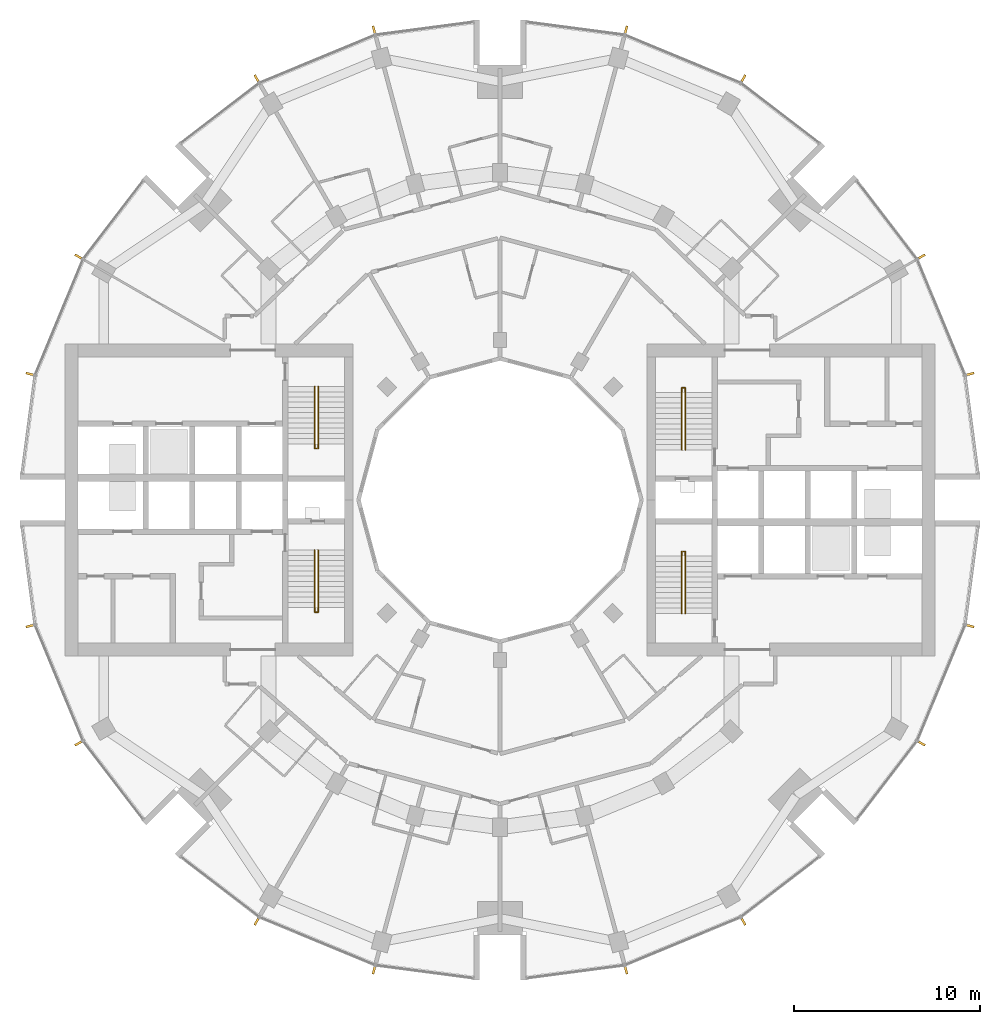
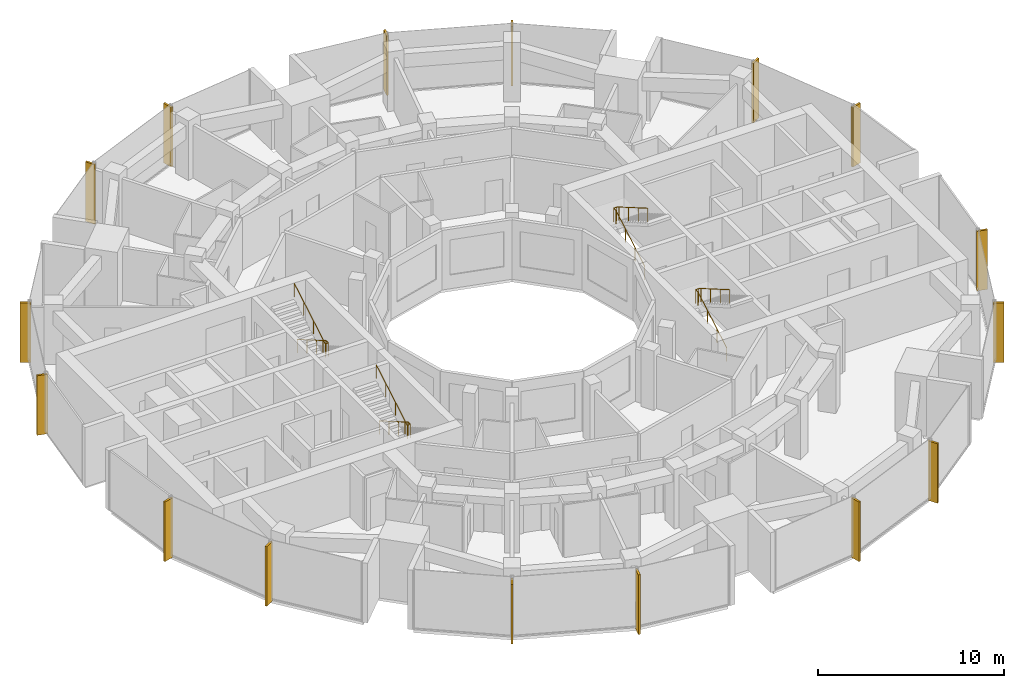
# One storey, part 14 of 15: 16 shading devices, 4 railings.
"""IFC4 building model written with IfcOpenShell, lengths in metres."""

from ifc_helpers import new_model, si_unit, direction, frame, origin, origin_2d, place, context, subcontext, project, spatial, rectangle, circle, extrude, material, material_profile, profile_set, type_object, element, save


model = new_model("IFC4")

# Units and contexts
model_context = context("Model", 3, precision=1e-05, world=origin(), true_north=direction((0.0, 1.0)))
body_context = subcontext(model_context, "Body", "Model", "MODEL_VIEW")
ifc_project = project(units=[si_unit("LENGTHUNIT", "METRE"), si_unit("AREAUNIT", "SQUARE_METRE"), si_unit("VOLUMEUNIT", "CUBIC_METRE"), si_unit("PLANEANGLEUNIT", "RADIAN"), si_unit("MASSUNIT", "GRAM", prefix="KILO")], contexts=[model_context])

# Site, building, storey
site_placement = place(None, origin())
site = spatial("IfcSite", under=ifc_project, at=site_placement, CompositionType="ELEMENT")
building_placement = place(site_placement, origin())
building = spatial("IfcBuilding", under=site, at=building_placement, Name="Torre Brocal", CompositionType="ELEMENT")
storey_placement = place(building_placement, frame((0.0, 0.0, 145.800048828125)))
storey = spatial("IfcBuildingStorey", under=building, at=storey_placement, Name="L34", CompositionType="ELEMENT", Elevation=145.800048828125)

# Shading devices
ifc_material_1 = material(Name="Aluminium, black anodised", Category="aluminium")
ifc_material_profile = material_profile(ifc_material_1, rectangle(XDim=0.1201171875, YDim=0.60009765625, at=origin_2d()), Name="FIN 120X600 3900 HIGH")
ifc_profile_set = profile_set([ifc_material_profile], Name="Aluminium, black anodised")
shading_device_type = type_object("IfcShadingDeviceType", Name="FIN 120X600 3900 HIGH", PredefinedType="USERDEFINED", material=ifc_profile_set)
for number, where, z_axis, x_axis, name in (
    (1, (105.208984375, 81.754638671875, -0.150146484375), (0.0, 0.0, 1.0), (-0.258819045103, 0.965925826289, 0.0), "FIN"),
    (2, (102.601806640625, 88.049072265625, -0.150146484375), (0.0, 0.0, 1.0), (-0.5, 0.866025403784, 0.0), "FIN"),
    (3, (93.049072265625, 97.601806640625, -0.150146484375), (0.0, 0.0, 1.0), (-0.866025403784, 0.5, 0.0), "FIN"),
    (4, (86.754638671875, 100.208984375, -0.150146484375), (0.0, 0.0, 1.0), (-0.965925826289, 0.258819045103, 0.0), "FIN"),
    (5, (73.245361328125, 100.208984375, -0.150146484375), (0.0, 0.0, 1.0), (-0.965925826289, -0.258819045103, 0.0), "FIN"),
    (6, (66.950927734375, 97.601806640625, -0.150146484375), (0.0, 0.0, 1.0), (-0.866025403784, -0.5, 0.0), "FIN"),
    (7, (57.398193359375, 88.049072265625, -0.150146484375), (0.0, 0.0, 1.0), (-0.5, -0.866025403784, 0.0), "FIN"),
    (8, (54.791015625, 81.754638671875, -0.150146484375), (0.0, 0.0, 1.0), (-0.258819045103, -0.965925826289, 0.0), "FIN"),
    (9, (54.791015625, 68.245361328125, -0.150146484375), (0.0, 0.0, 1.0), (0.258819045103, -0.965925826289, 0.0), "FIN"),
    (10, (57.398193359375, 61.950927734375, -0.150146484375), (0.0, 0.0, 1.0), (0.5, -0.866025403784, 0.0), "FIN"),
    (11, (66.950927734375, 52.398193359375, -0.150146484375), (0.0, 0.0, 1.0), (0.866025403784, -0.5, 0.0), "FIN"),
    (12, (73.245361328125, 49.791015625, -0.150146484375), (0.0, 0.0, 1.0), (0.965925826289, -0.258819045103, 0.0), "FIN"),
    (13, (86.754638671875, 49.791015625, -0.150146484375), (0.0, 0.0, 1.0), (0.965925826289, 0.258819045103, 0.0), "FIN"),
    (14, (93.049072265625, 52.398193359375, -0.150146484375), (0.0, 0.0, 1.0), (0.866025403784, 0.5, 0.0), "FIN"),
    (15, (102.601806640625, 61.950927734375, -0.150146484375), (0.0, 0.0, 1.0), (0.5, 0.866025403784, 0.0), "FIN"),
    (16, (105.208984375, 68.245361328125, -0.150146484375), (0.0, 0.0, 1.0), (0.258819045103, 0.965925826289, 0.0), "FIN"),
):
    element("IfcShadingDevice", number, at=place(storey_placement, frame(where, z_axis=z_axis, x_axis=x_axis)), inside=storey, type_object=shading_device_type, Name=name, ObjectType="FIN", PredefinedType="USERDEFINED", context=body_context, shape_type="SweptSolid", body=[
        extrude(rectangle(XDim=0.1201171875, YDim=0.60009765625, at=origin_2d()), origin(), (0.0, 0.0, 1.0), 3.900146484375),
    ])

# Railings
ifc_material_2 = material(Name="Stainless steel AISI 316", Category="steel")
railing_type = type_object("IfcRailingType", Name="STAIR HANDRAIL", PredefinedType="HANDRAIL", material=ifc_material_2)
railing_1_placement = place(storey_placement, frame((89.780029296875, 77.699951171875, 0.162353515625)))
element("IfcRailing", 17, at=railing_1_placement, inside=storey, type_object=railing_type, Name="HANDRAIL ST1", PredefinedType="HANDRAIL", context=body_context, shape_type="SweptSolid", body=[
    extrude(circle(Radius=0.02392578125, at=origin_2d()), frame((0.0, 0.0, 0.8759765625), z_axis=(0.0, 0.864890721111, 0.501960198159), x_axis=(-1.0, 0.0, 0.0)), (0.0, 0.0, 1.0), 3.561279296875),
    extrude(circle(Radius=0.02392578125, at=origin_2d()), frame((0.0, 3.080078125, 2.66357421875), z_axis=(0.0, 1.0, 0.0), x_axis=(-1.0, 0.0, 0.0)), (0.0, 0.0, 1.0), 0.25),
    extrude(circle(Radius=0.02392578125, at=origin_2d()), frame((0.0, 3.330078125, 2.66357421875), z_axis=(1.0, 0.0, 0.0), x_axis=(0.0, 1.0, 0.0)), (0.0, 0.0, 1.0), 0.18994140625),
    extrude(circle(Radius=0.02392578125, at=origin_2d()), frame((0.18994140625, 3.330078125, 2.66357421875), z_axis=(0.0, -0.838293955121, 0.545218529405), x_axis=(1.0, 0.0, 0.0)), (0.0, 0.0, 1.0), 0.29833984375),
    extrude(circle(Radius=0.02392578125, at=origin_2d()), frame((0.18994140625, 3.080078125, 2.826171875), z_axis=(0.0, -0.864920483161, 0.501908913857), x_axis=(1.0, 0.0, 0.0)), (0.0, 0.0, 1.0), 3.56103515625),
    extrude(circle(Radius=0.02099609375, at=origin_2d()), origin(), (0.0, 0.0, 1.0), 0.851806640625),
    extrude(circle(Radius=0.02099609375, at=origin_2d()), frame((0.0, 1.026611328125, 0.595947265625)), (0.0, 0.0, 1.0), 0.851806640625),
    extrude(circle(Radius=0.02099609375, at=origin_2d()), frame((0.0, 2.053466796875, 1.191650390625)), (0.0, 0.0, 1.0), 0.851806640625),
    extrude(circle(Radius=0.02099609375, at=origin_2d()), frame((0.0, 3.080078125, 1.78759765625)), (0.0, 0.0, 1.0), 0.851806640625),
    extrude(circle(Radius=0.02099609375, at=origin_2d()), frame((0.0, 3.330078125, 1.78759765625)), (0.0, 0.0, 1.0), 0.851806640625),
    extrude(circle(Radius=0.02099609375, at=origin_2d()), frame((0.18994140625, 3.330078125, 1.78759765625)), (0.0, 0.0, 1.0), 0.851806640625),
    extrude(circle(Radius=0.02099609375, at=origin_2d()), frame((0.18994140625, 3.080078125, 1.9501953125)), (0.0, 0.0, 1.0), 0.851806640625),
    extrude(circle(Radius=0.02099609375, at=origin_2d()), frame((0.18994140625, 2.053466796875, 2.5458984375)), (0.0, 0.0, 1.0), 0.851806640625),
    extrude(circle(Radius=0.02099609375, at=origin_2d()), frame((0.18994140625, 1.026611328125, 3.141845703125)), (0.0, 0.0, 1.0), 0.851806640625),
    extrude(circle(Radius=0.02099609375, at=origin_2d()), frame((0.18994140625, 0.0, 3.737548828125)), (0.0, 0.0, 1.0), 0.851806640625),
])
railing_2_placement = place(storey_placement, frame((89.780029296875, 68.89990234375, 0.162353515625)))
element("IfcRailing", 18, at=railing_2_placement, inside=storey, type_object=railing_type, Name="HANDRAIL ST2", PredefinedType="HANDRAIL", context=body_context, shape_type="SweptSolid", body=[
    extrude(circle(Radius=0.02392578125, at=origin_2d()), frame((0.0, 0.0, 0.8759765625), z_axis=(0.0, 0.864890721111, 0.501960198159), x_axis=(-1.0, 0.0, 0.0)), (0.0, 0.0, 1.0), 3.561279296875),
    extrude(circle(Radius=0.02392578125, at=origin_2d()), frame((0.0, 3.080078125, 2.66357421875), z_axis=(0.0, 1.0, 0.0), x_axis=(-1.0, 0.0, 0.0)), (0.0, 0.0, 1.0), 0.25),
    extrude(circle(Radius=0.02392578125, at=origin_2d()), frame((0.0, 3.330078125, 2.66357421875), z_axis=(1.0, 0.0, 0.0), x_axis=(0.0, 1.0, 0.0)), (0.0, 0.0, 1.0), 0.18994140625),
    extrude(circle(Radius=0.02392578125, at=origin_2d()), frame((0.18994140625, 3.330078125, 2.66357421875), z_axis=(0.0, -0.838293955121, 0.545218529405), x_axis=(1.0, 0.0, 0.0)), (0.0, 0.0, 1.0), 0.29833984375),
    extrude(circle(Radius=0.02392578125, at=origin_2d()), frame((0.18994140625, 3.080078125, 2.826171875), z_axis=(0.0, -0.864920483161, 0.501908913857), x_axis=(1.0, 0.0, 0.0)), (0.0, 0.0, 1.0), 3.56103515625),
    extrude(circle(Radius=0.02099609375, at=origin_2d()), origin(), (0.0, 0.0, 1.0), 0.851806640625),
    extrude(circle(Radius=0.02099609375, at=origin_2d()), frame((0.0, 1.026611328125, 0.595947265625)), (0.0, 0.0, 1.0), 0.851806640625),
    extrude(circle(Radius=0.02099609375, at=origin_2d()), frame((0.0, 2.053466796875, 1.191650390625)), (0.0, 0.0, 1.0), 0.851806640625),
    extrude(circle(Radius=0.02099609375, at=origin_2d()), frame((0.0, 3.080078125, 1.78759765625)), (0.0, 0.0, 1.0), 0.851806640625),
    extrude(circle(Radius=0.02099609375, at=origin_2d()), frame((0.0, 3.330078125, 1.78759765625)), (0.0, 0.0, 1.0), 0.851806640625),
    extrude(circle(Radius=0.02099609375, at=origin_2d()), frame((0.18994140625, 3.330078125, 1.78759765625)), (0.0, 0.0, 1.0), 0.851806640625),
    extrude(circle(Radius=0.02099609375, at=origin_2d()), frame((0.18994140625, 3.080078125, 1.9501953125)), (0.0, 0.0, 1.0), 0.851806640625),
    extrude(circle(Radius=0.02099609375, at=origin_2d()), frame((0.18994140625, 2.053466796875, 2.5458984375)), (0.0, 0.0, 1.0), 0.851806640625),
    extrude(circle(Radius=0.02099609375, at=origin_2d()), frame((0.18994140625, 1.026611328125, 3.141845703125)), (0.0, 0.0, 1.0), 0.851806640625),
    extrude(circle(Radius=0.02099609375, at=origin_2d()), frame((0.18994140625, 0.0, 3.737548828125)), (0.0, 0.0, 1.0), 0.851806640625),
])
railing_3_placement = place(storey_placement, frame((70.219970703125, 72.300048828125, 0.162353515625)))
element("IfcRailing", 19, at=railing_3_placement, inside=storey, type_object=railing_type, Name="HANDRAIL ST3", PredefinedType="HANDRAIL", context=body_context, shape_type="SweptSolid", body=[
    extrude(circle(Radius=0.02392578125, at=origin_2d()), frame((0.0, 0.0, 0.8759765625), z_axis=(0.0, -0.864890721111, 0.501960198159), x_axis=(1.0, 0.0, 0.0)), (0.0, 0.0, 1.0), 3.561279296875),
    extrude(circle(Radius=0.02392578125, at=origin_2d()), frame((0.0, -3.080078125, 2.66357421875), z_axis=(0.0, -1.0, 0.0), x_axis=(1.0, 0.0, 0.0)), (0.0, 0.0, 1.0), 0.25),
    extrude(circle(Radius=0.02392578125, at=origin_2d()), frame((0.0, -3.330078125, 2.66357421875), z_axis=(-1.0, 0.0, 0.0), x_axis=(0.0, -1.0, 0.0)), (0.0, 0.0, 1.0), 0.18994140625),
    extrude(circle(Radius=0.02392578125, at=origin_2d()), frame((-0.18994140625, -3.330078125, 2.66357421875), z_axis=(0.0, 0.838293955121, 0.545218529405), x_axis=(-1.0, 0.0, 0.0)), (0.0, 0.0, 1.0), 0.29833984375),
    extrude(circle(Radius=0.02392578125, at=origin_2d()), frame((-0.18994140625, -3.080078125, 2.826171875), z_axis=(0.0, 0.864920483161, 0.501908913857), x_axis=(-1.0, 0.0, 0.0)), (0.0, 0.0, 1.0), 3.56103515625),
    extrude(circle(Radius=0.02099609375, at=origin_2d()), origin(), (0.0, 0.0, 1.0), 0.851806640625),
    extrude(circle(Radius=0.02099609375, at=origin_2d()), frame((0.0, -1.026611328125, 0.595947265625)), (0.0, 0.0, 1.0), 0.851806640625),
    extrude(circle(Radius=0.02099609375, at=origin_2d()), frame((0.0, -2.053466796875, 1.191650390625)), (0.0, 0.0, 1.0), 0.851806640625),
    extrude(circle(Radius=0.02099609375, at=origin_2d()), frame((0.0, -3.080078125, 1.78759765625)), (0.0, 0.0, 1.0), 0.851806640625),
    extrude(circle(Radius=0.02099609375, at=origin_2d()), frame((0.0, -3.330078125, 1.78759765625)), (0.0, 0.0, 1.0), 0.851806640625),
    extrude(circle(Radius=0.02099609375, at=origin_2d()), frame((-0.18994140625, -3.330078125, 1.78759765625)), (0.0, 0.0, 1.0), 0.851806640625),
    extrude(circle(Radius=0.02099609375, at=origin_2d()), frame((-0.18994140625, -3.080078125, 1.9501953125)), (0.0, 0.0, 1.0), 0.851806640625),
    extrude(circle(Radius=0.02099609375, at=origin_2d()), frame((-0.18994140625, -2.053466796875, 2.5458984375)), (0.0, 0.0, 1.0), 0.851806640625),
    extrude(circle(Radius=0.02099609375, at=origin_2d()), frame((-0.18994140625, -1.026611328125, 3.141845703125)), (0.0, 0.0, 1.0), 0.851806640625),
    extrude(circle(Radius=0.02099609375, at=origin_2d()), frame((-0.18994140625, 0.0, 3.737548828125)), (0.0, 0.0, 1.0), 0.851806640625),
])
railing_4_placement = place(storey_placement, frame((70.219970703125, 81.10009765625, 0.162353515625)))
element("IfcRailing", 20, at=railing_4_placement, inside=storey, type_object=railing_type, Name="HANDRAIL ST4", PredefinedType="HANDRAIL", context=body_context, shape_type="SweptSolid", body=[
    extrude(circle(Radius=0.02392578125, at=origin_2d()), frame((0.0, 0.0, 0.8759765625), z_axis=(0.0, -0.864890721111, 0.501960198159), x_axis=(1.0, 0.0, 0.0)), (0.0, 0.0, 1.0), 3.561279296875),
    extrude(circle(Radius=0.02392578125, at=origin_2d()), frame((0.0, -3.080078125, 2.66357421875), z_axis=(0.0, -1.0, 0.0), x_axis=(1.0, 0.0, 0.0)), (0.0, 0.0, 1.0), 0.25),
    extrude(circle(Radius=0.02392578125, at=origin_2d()), frame((0.0, -3.330078125, 2.66357421875), z_axis=(-1.0, 0.0, 0.0), x_axis=(0.0, -1.0, 0.0)), (0.0, 0.0, 1.0), 0.18994140625),
    extrude(circle(Radius=0.02392578125, at=origin_2d()), frame((-0.18994140625, -3.330078125, 2.66357421875), z_axis=(0.0, 0.838293955121, 0.545218529405), x_axis=(-1.0, 0.0, 0.0)), (0.0, 0.0, 1.0), 0.29833984375),
    extrude(circle(Radius=0.02392578125, at=origin_2d()), frame((-0.18994140625, -3.080078125, 2.826171875), z_axis=(0.0, 0.864920483161, 0.501908913857), x_axis=(-1.0, 0.0, 0.0)), (0.0, 0.0, 1.0), 3.56103515625),
    extrude(circle(Radius=0.02099609375, at=origin_2d()), origin(), (0.0, 0.0, 1.0), 0.851806640625),
    extrude(circle(Radius=0.02099609375, at=origin_2d()), frame((0.0, -1.026611328125, 0.595947265625)), (0.0, 0.0, 1.0), 0.851806640625),
    extrude(circle(Radius=0.02099609375, at=origin_2d()), frame((0.0, -2.053466796875, 1.191650390625)), (0.0, 0.0, 1.0), 0.851806640625),
    extrude(circle(Radius=0.02099609375, at=origin_2d()), frame((0.0, -3.080078125, 1.78759765625)), (0.0, 0.0, 1.0), 0.851806640625),
    extrude(circle(Radius=0.02099609375, at=origin_2d()), frame((0.0, -3.330078125, 1.78759765625)), (0.0, 0.0, 1.0), 0.851806640625),
    extrude(circle(Radius=0.02099609375, at=origin_2d()), frame((-0.18994140625, -3.330078125, 1.78759765625)), (0.0, 0.0, 1.0), 0.851806640625),
    extrude(circle(Radius=0.02099609375, at=origin_2d()), frame((-0.18994140625, -3.080078125, 1.9501953125)), (0.0, 0.0, 1.0), 0.851806640625),
    extrude(circle(Radius=0.02099609375, at=origin_2d()), frame((-0.18994140625, -2.053466796875, 2.5458984375)), (0.0, 0.0, 1.0), 0.851806640625),
    extrude(circle(Radius=0.02099609375, at=origin_2d()), frame((-0.18994140625, -1.026611328125, 3.141845703125)), (0.0, 0.0, 1.0), 0.851806640625),
    extrude(circle(Radius=0.02099609375, at=origin_2d()), frame((-0.18994140625, 0.0, 3.737548828125)), (0.0, 0.0, 1.0), 0.851806640625),
])

save(model, "model.ifc")
